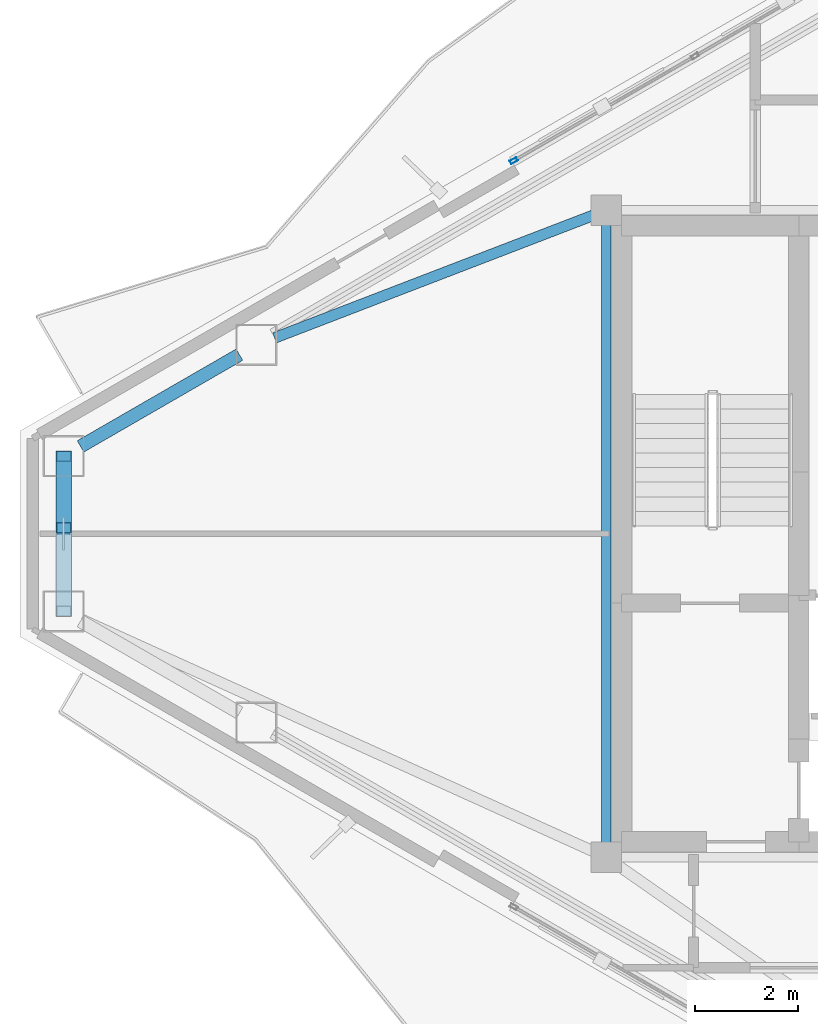
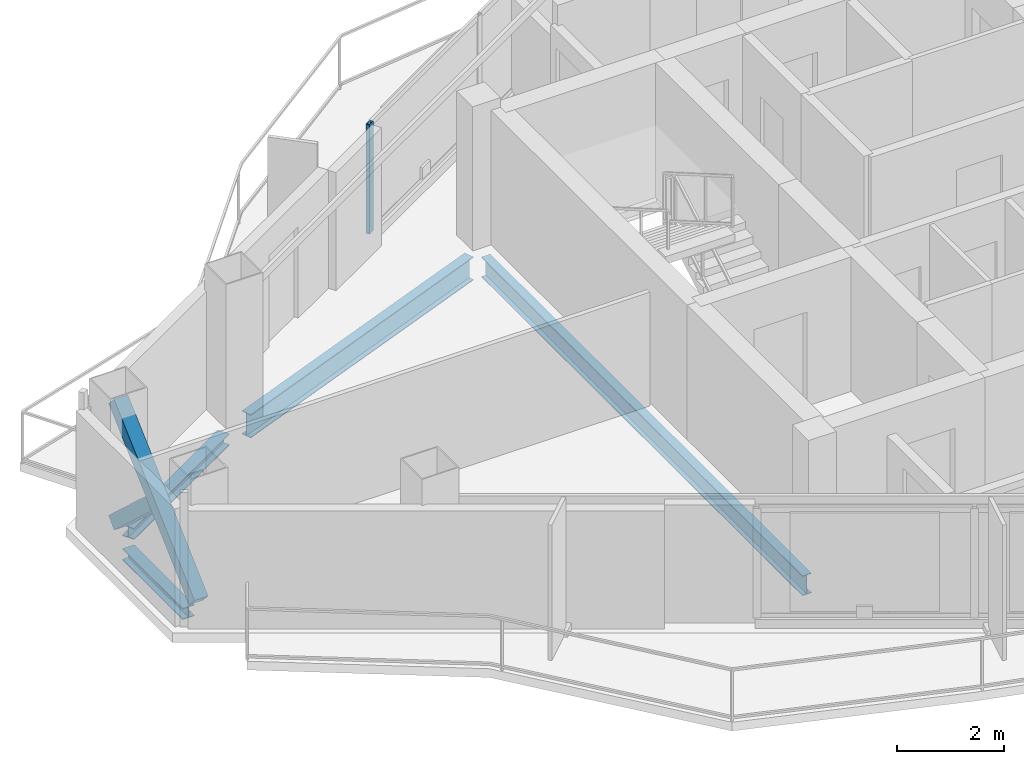
# One storey, part 8 of 18: 4 beams, 3 members, 1 element without a shape of its own.
"""IFC4 building model written with IfcOpenShell, lengths in metres."""

from ifc_helpers import new_model, si_unit, direction, frame, origin, origin_2d, place, context, subcontext, project, spatial, hollow_rectangle, i_section, extrude, material, layer, layer_set, material_profile, profile_set, type_object, element, aggregate, save


model = new_model("IFC4")

# Units and contexts
model_context = context("Model", 3, precision=1e-05, world=origin(), true_north=direction((0.0, 1.0)))
body_context = subcontext(model_context, "Body", "Model", "MODEL_VIEW")
ifc_project = project(units=[si_unit("LENGTHUNIT", "METRE"), si_unit("AREAUNIT", "SQUARE_METRE"), si_unit("VOLUMEUNIT", "CUBIC_METRE"), si_unit("PLANEANGLEUNIT", "RADIAN"), si_unit("MASSUNIT", "GRAM", prefix="KILO")], contexts=[model_context])

# Site, building, storey
site_placement = place(None, origin())
site = spatial("IfcSite", under=ifc_project, at=site_placement, CompositionType="ELEMENT")
building_placement = place(site_placement, origin())
building = spatial("IfcBuilding", under=site, at=building_placement, Name="Mersakhor Tower and Convention Hall", CompositionType="ELEMENT")
storey_placement = place(building_placement, frame((0.0, 0.0, 243.0)))
storey = spatial("IfcBuildingStorey", under=building, at=storey_placement, Name="L68", CompositionType="ELEMENT", Elevation=243.0)

# Beams
ifc_material_1 = material(Name="Steel S355", Category="steel")
ifc_material_profile_1 = material_profile(ifc_material_1, i_section(OverallWidth=0.19140625, OverallDepth=0.4599609375, WebThickness=0.010009765625, FlangeThickness=0.01611328125, at=origin_2d()), Name="UB 457x191x82")
ifc_profile_set_1 = profile_set([ifc_material_profile_1], Name="Steel S355")
beam_type_1 = type_object("IfcBeamType", Name="BM-FB-457", PredefinedType="BEAM", material=ifc_profile_set_1)
beam_1_placement = place(storey_placement, frame((21.89990234375, 20.72998046875, -0.449951171875), z_axis=(0.0, 1.0, 0.0), x_axis=(-1.0, 0.0, 0.0)))
element("IfcBeam", 1, at=beam_1_placement, inside=storey, type_object=beam_type_1, Name="L68 Core Ring Tie Beam CRB-1", PredefinedType="BEAM", context=body_context, shape_type="SweptSolid", body=[
    extrude(i_section(OverallWidth=0.19140625, OverallDepth=0.4599609375, WebThickness=0.010009765625, FlangeThickness=0.01611328125, at=origin_2d()), origin(), (0.0, 0.0, 1.0), 12.0400390625),
])
ifc_material_2 = material(Name="Steel S355", Category="steel")
ifc_material_profile_2 = material_profile(ifc_material_2, i_section(OverallWidth=0.2099609375, OverallDepth=0.53662109375, WebThickness=0.0107421875, FlangeThickness=0.017333984375, at=origin_2d()), Name="UB 533x210x101")
ifc_profile_set_2 = profile_set([ifc_material_profile_2], Name="Steel S355")
beam_type_2 = type_object("IfcBeamType", Name="BM-FB-533", PredefinedType="BEAM", material=ifc_profile_set_2)
beam_2_placement = place(storey_placement, frame((21.638671875, 32.949462890625, -0.48828125), z_axis=(-0.933316231297, -0.359055444741, 0.0), x_axis=(0.359055444741, -0.933316231297, 0.0)))
element("IfcBeam", 2, at=beam_2_placement, inside=storey, type_object=beam_type_2, Name="L68 Primary Floor Girder FG-1", PredefinedType="BEAM", context=body_context, shape_type="SweptSolid", body=[
    extrude(i_section(OverallWidth=0.2099609375, OverallDepth=0.53662109375, WebThickness=0.0107421875, FlangeThickness=0.017333984375, at=origin_2d()), origin(), (0.0, 0.0, 1.0), 6.64111328125),
])
ifc_material_3 = material(Name="Steel S355", Category="steel")
ifc_material_profile_3 = material_profile(ifc_material_3, i_section(OverallWidth=0.25634765625, OverallDepth=0.26025390625, WebThickness=0.01025390625, FlangeThickness=0.017333984375, at=origin_2d()), Name="UC 254x254x89")
ifc_profile_set_3 = profile_set([ifc_material_profile_3], Name="Steel S355")
beam_type_3 = type_object("IfcBeamType", Name="BM-SPD-UC254", PredefinedType="SPANDREL", material=ifc_profile_set_3)
beam_3_placement = place(storey_placement, frame((11.6611328125, 28.451416015625, -0.35009765625), z_axis=(0.866032030752, 0.499988521579, 0.0), x_axis=(-0.499988521579, 0.866032030752, 0.0)))
element("IfcBeam", 3, at=beam_3_placement, inside=storey, type_object=beam_type_3, Name="L68 Perimeter Spandrel Beam SPB-01", PredefinedType="SPANDREL", context=body_context, shape_type="SweptSolid", body=[
    extrude(i_section(OverallWidth=0.25634765625, OverallDepth=0.26025390625, WebThickness=0.01025390625, FlangeThickness=0.017333984375, at=origin_2d()), origin(), (0.0, 0.0, 1.0), 3.57421875),
])
beam_4_placement = place(storey_placement, frame((11.33203125, 25.61865234375, -0.35009765625), z_axis=(0.0, 1.0, 0.0), x_axis=(-1.0, 0.0, 0.0)))
element("IfcBeam", 4, at=beam_4_placement, inside=storey, type_object=beam_type_3, Name="L68 Perimeter Spandrel Beam SPB-12", PredefinedType="SPANDREL", context=body_context, shape_type="SweptSolid", body=[
    extrude(i_section(OverallWidth=0.25634765625, OverallDepth=0.26025390625, WebThickness=0.01025390625, FlangeThickness=0.017333984375, at=origin_2d()), origin(), (0.0, 0.0, 1.0), 2.2626953125),
])

# Curtain wall, member
ifc_material_4 = material(Name="Dark solar low-E aluminium curtain wall", Category="aluminium")
ifc_layer = layer(ifc_material_4, 0.179931640625)
ifc_layer_set = layer_set([ifc_layer], Name="Dark solar low-E aluminium curtain wall")
curtain_wall_type = type_object("IfcCurtainWallType", Name="CW-SYS-03", PredefinedType="USERDEFINED", material=ifc_layer_set)
curtain_wall_placement = place(storey_placement, origin())
curtain_wall = element("IfcCurtainWall", 5, at=curtain_wall_placement, inside=storey, type_object=curtain_wall_type, Name="L68 Dark-Glass Curtain Wall F1-B2", ObjectType="CURTAIN WALL", PredefinedType="USERDEFINED")
ifc_material_5 = material(Name="Anodised aluminium EN AW-6063 T6", Category="aluminium")
ifc_material_profile_4 = material_profile(ifc_material_5, hollow_rectangle(XDim=0.074951171875, YDim=0.14990234375, WallThickness=0.00634765625, at=origin_2d()), Name="RHS 150x75x6.3")
ifc_profile_set_4 = profile_set([ifc_material_profile_4], Name="Anodised aluminium EN AW-6063 T6")
member_type_1 = type_object("IfcMemberType", Name="CWM-150x75", PredefinedType="MULLION", material=ifc_profile_set_4)
member_1_placement = place(storey_placement, frame((20.098388671875, 34.015380859375, 0.199951171875), z_axis=(0.0, 0.0, 1.0), x_axis=(-0.500004411169, 0.86602285698, 0.0)))
member_1 = element("IfcMember", 6, at=member_1_placement, type_object=member_type_1, Name="CW-03 mullion 1", PredefinedType="MULLION", context=body_context, shape_type="SweptSolid", body=[
    extrude(hollow_rectangle(XDim=0.074951171875, YDim=0.14990234375, WallThickness=0.00634765625, at=origin_2d()), origin(), (0.0, 0.0, 1.0), 2.5),
])
aggregate(curtain_wall, [member_1])

# Members
ifc_material_6 = material(Name="Steel S355", Category="steel")
ifc_material_profile_5 = material_profile(ifc_material_6, hollow_rectangle(XDim=0.300048828125, YDim=0.300048828125, WallThickness=0.01611328125, at=origin_2d()), Name="SHS 300x300x16")
ifc_profile_set_5 = profile_set([ifc_material_profile_5], Name="Steel S355")
member_type_2 = type_object("IfcMemberType", Name="MB-BRC-SHS300", PredefinedType="BRACE", material=ifc_profile_set_5)
member_2_placement = place(storey_placement, frame((11.33203125, 25.23876953125, 0.14990234375), z_axis=(0.0, 0.736008025896, 0.676972810249), x_axis=(-1.0, 0.0, 0.0)))
element("IfcMember", 7, at=member_2_placement, inside=storey, type_object=member_type_2, Name="L68 Chamfer Braced Frame Diagonal CB-3A", PredefinedType="BRACE", context=body_context, shape_type="SweptSolid", body=[
    extrude(hollow_rectangle(XDim=0.300048828125, YDim=0.300048828125, WallThickness=0.01611328125, at=origin_2d()), origin(), (0.0, 0.0, 1.0), 4.1064453125),
])
member_3_placement = place(storey_placement, frame((11.33203125, 28.26123046875, 0.14990234375), z_axis=(0.0, -0.735997778537, 0.676983951057), x_axis=(1.0, 0.0, 0.0)))
element("IfcMember", 8, at=member_3_placement, inside=storey, type_object=member_type_2, Name="L68 Chamfer Braced Frame Diagonal CB-3B Lower Half", PredefinedType="BRACE", context=body_context, shape_type="SweptSolid", body=[
    extrude(hollow_rectangle(XDim=0.300048828125, YDim=0.300048828125, WallThickness=0.01611328125, at=origin_2d()), origin(), (0.0, 0.0, 1.0), 1.894775390625),
])

save(model, "model.ifc")
